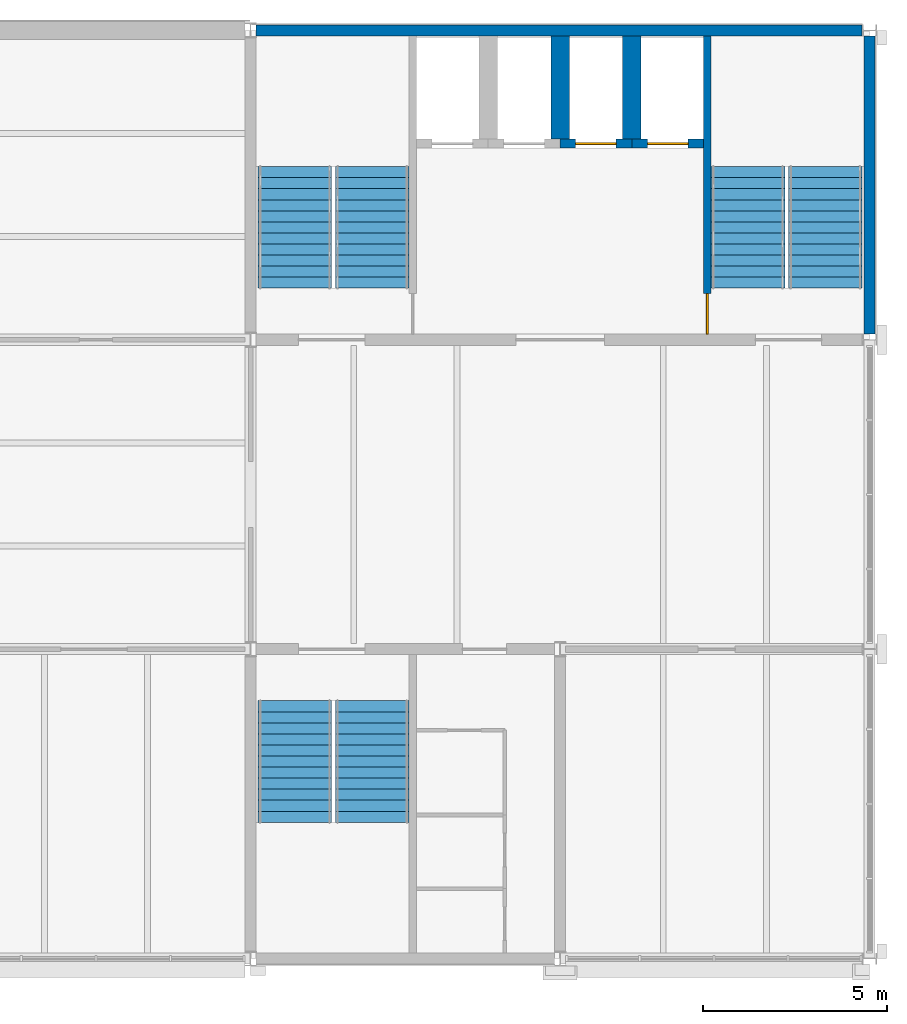
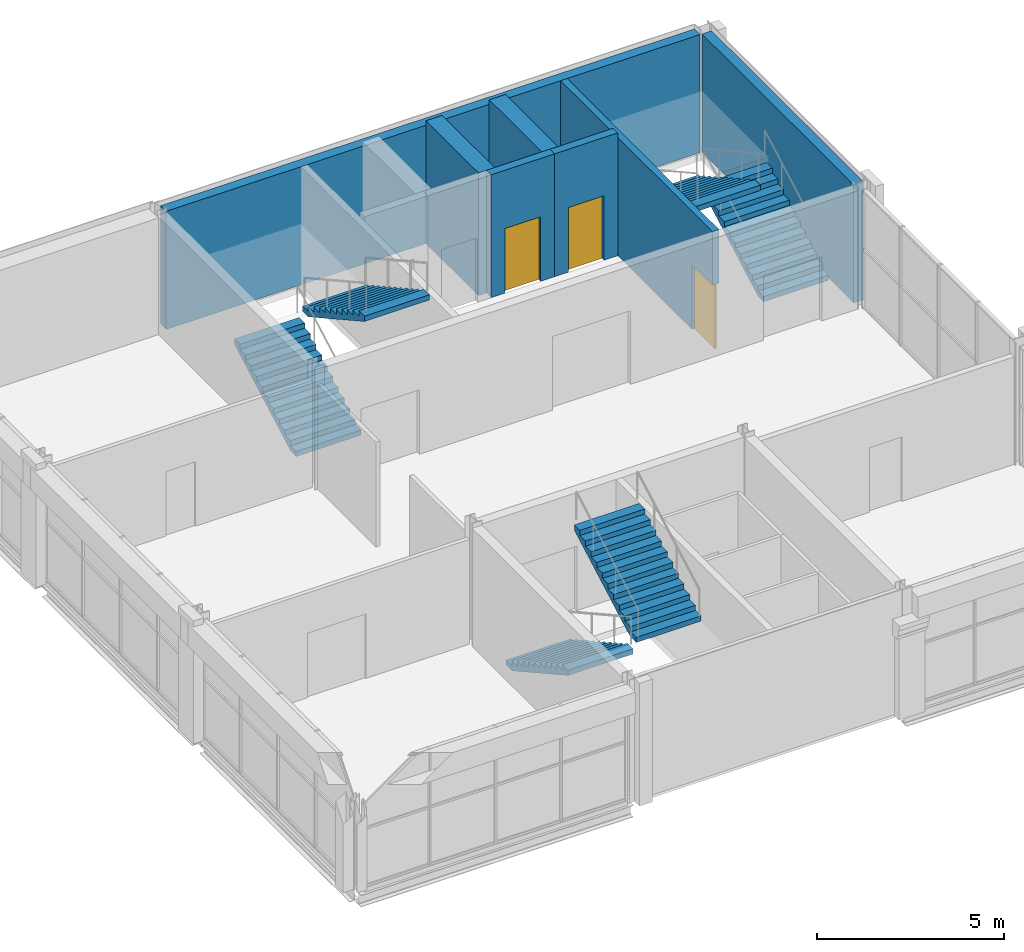
# One storey, part 7 of 8: 7 walls, 6 stair flights, 3 doors, 3 openings, 3 elements without a shape of their own.
"""IFC4 building model written with IfcOpenShell, lengths in metres."""

from ifc_helpers import new_model, si_unit, direction, frame, frame_2d, origin, place, context, subcontext, project, spatial, polyline, rectangle, outline, extrude, material, layer, layer_set, type_object, element, fill, aggregate, save


model = new_model("IFC4")

# Units and contexts
model_context = context("Model", 3, precision=1e-05, world=origin(), true_north=direction((0.0, 1.0)))
body_context = subcontext(model_context, "Body", "Model", "MODEL_VIEW")
ifc_project = project(units=[si_unit("LENGTHUNIT", "METRE"), si_unit("AREAUNIT", "SQUARE_METRE"), si_unit("VOLUMEUNIT", "CUBIC_METRE"), si_unit("PLANEANGLEUNIT", "RADIAN"), si_unit("MASSUNIT", "GRAM", prefix="KILO")], contexts=[model_context])

# Site, building, storey
site_placement = place(None, origin())
site = spatial("IfcSite", under=ifc_project, at=site_placement, CompositionType="ELEMENT")
building_placement = place(site_placement, origin())
building = spatial("IfcBuilding", under=site, at=building_placement, Name="Galleria Vessillo Department Store", CompositionType="ELEMENT")
storey_placement = place(building_placement, frame((0.0, 0.0, 55.60009765625)))
storey = spatial("IfcBuildingStorey", under=building, at=storey_placement, Name="L12", CompositionType="ELEMENT", Elevation=55.60009765625)

# Walls
ifc_material_1 = material(Name="Solid clay block masonry", Category="masonry")
ifc_layer_1 = layer(ifc_material_1, 0.5)
ifc_layer_set_1 = layer_set([ifc_layer_1], Name="Solid clay block masonry")
wall_type_1 = type_object("IfcWallType", Name="Lift shaft partition wall 500 mm", PredefinedType="SOLIDWALL", material=ifc_layer_set_1)
for number, where, z_axis, x_axis, name in (
    (1, (109.199951171875, 62.85009765625, 0.0), (0.0, 0.0, 1.0), (0.0, -1.0, 0.0), "Lift shaft partition wall T2 L12"),
    (2, (111.14990234375, 62.85009765625, 0.0), (0.0, 0.0, 1.0), (0.0, -1.0, 0.0), "Lift shaft partition wall T3 L12"),
):
    element("IfcWall", number, at=place(storey_placement, frame(where, z_axis=z_axis, x_axis=x_axis)), inside=storey, type_object=wall_type_1, Name=name, PredefinedType="SOLIDWALL", context=body_context, shape_type="SweptSolid", body=[
        extrude(rectangle(XDim=2.800048828125, YDim=0.5, at=frame_2d((1.39990234375, 0.0))), origin(), (0.0, 0.0, 1.0), 4.0),
    ])

# Wall, opening, door
ifc_material_2 = material(Name="Solid clay block masonry", Category="masonry")
ifc_layer_2 = layer(ifc_material_2, 0.25)
ifc_layer_set_2 = layer_set([ifc_layer_2], Name="Solid clay block masonry")
wall_type_2 = type_object("IfcWallType", Name="Lift shaft wall 250 mm", PredefinedType="SOLIDWALL", material=ifc_layer_set_2)
wall_1_placement = place(storey_placement, frame((109.199951171875, 59.925048828125, 0.0), z_axis=(0.0, 0.0, 1.0), x_axis=(1.0, 0.0, 0.0)))
wall_1 = element("IfcWall", 3, at=wall_1_placement, inside=storey, type_object=wall_type_2, Name="Lift shaft wall T3 landing side L12", PredefinedType="SOLIDWALL", context=body_context, shape_type="SweptSolid", body=[
    extrude(rectangle(XDim=1.949951171875, YDim=0.25, at=frame_2d((0.97509765625, 0.0))), origin(), (0.0, 0.0, 1.0), 4.0),
])
opening_1_placement = place(wall_1_placement, frame((0.425048828125, 0.0, 0.0)))
opening_1 = element("IfcOpeningElement", 4, at=opening_1_placement, cuts=wall_1, Name="Opening LD123", PredefinedType="OPENING", context=body_context, shape_type="SweptSolid", body=[
    extrude(rectangle(XDim=1.10009765625, YDim=2.10009765625, at=frame_2d((0.550048828125, 1.050048828125))), frame((0.0, 0.135009765625, 0.0), z_axis=(0.0, -1.0, 0.0), x_axis=(1.0, 0.0, 0.0)), (0.0, 0.0, 1.0), 0.27001953125),
])
ifc_material_3 = material(Name="Stainless steel lift door panel", Category="steel")
door_type_1 = type_object("IfcDoorType", Name="Lift landing door LD110 sliding 1100 x 2100", OperationType="SLIDING_TO_LEFT", PredefinedType="DOOR", material=ifc_material_3)
door_1_placement = place(opening_1_placement, frame((1.10009765625, 0.0, 0.0), z_axis=(0.0, 0.0, 1.0), x_axis=(-1.0, 0.0, 0.0)))
door_1 = element("IfcDoor", 5, at=door_1_placement, inside=storey, type_object=door_type_1, Name="Lift landing door T3 L12", OperationType="SLIDING_TO_RIGHT", OverallHeight=2.10009765625, OverallWidth=1.10009765625, PredefinedType="DOOR", context=body_context, shape_type="SweptSolid", body=[
    extrude(rectangle(XDim=1.10009765625, YDim=2.10009765625, at=frame_2d((0.550048828125, 1.050048828125))), frame((0.0, 0.02490234375, 0.0), z_axis=(0.0, -1.0, 0.0), x_axis=(1.0, 0.0, 0.0)), (0.0, 0.0, 1.0), 0.050048828125),
])
fill(opening_1, door_1)

wall_2_placement = place(storey_placement, frame((111.14990234375, 59.925048828125, 0.0), z_axis=(0.0, 0.0, 1.0), x_axis=(1.0, 0.0, 0.0)))
wall_2 = element("IfcWall", 6, at=wall_2_placement, inside=storey, type_object=wall_type_2, Name="Lift shaft wall T4 landing side L12", PredefinedType="SOLIDWALL", context=body_context, shape_type="SweptSolid", body=[
    extrude(rectangle(XDim=1.9501953125, YDim=0.25, at=frame_2d((0.97509765625, 0.0))), origin(), (0.0, 0.0, 1.0), 4.0),
])
opening_2_placement = place(wall_2_placement, frame((0.425048828125, 0.0, 0.0)))
opening_2 = element("IfcOpeningElement", 7, at=opening_2_placement, cuts=wall_2, Name="Opening LD124", PredefinedType="OPENING", context=body_context, shape_type="SweptSolid", body=[
    extrude(rectangle(XDim=1.10009765625, YDim=2.10009765625, at=frame_2d((0.550048828125, 1.050048828125))), frame((0.0, 0.135009765625, 0.0), z_axis=(0.0, -1.0, 0.0), x_axis=(1.0, 0.0, 0.0)), (0.0, 0.0, 1.0), 0.27001953125),
])
door_2_placement = place(opening_2_placement, frame((1.10009765625, 0.0, 0.0), z_axis=(0.0, 0.0, 1.0), x_axis=(-1.0, 0.0, 0.0)))
door_2 = element("IfcDoor", 8, at=door_2_placement, inside=storey, type_object=door_type_1, Name="Lift landing door T4 L12", OperationType="SLIDING_TO_LEFT", OverallHeight=2.10009765625, OverallWidth=1.10009765625, PredefinedType="DOOR", context=body_context, shape_type="SweptSolid", body=[
    extrude(rectangle(XDim=1.10009765625, YDim=2.10009765625, at=frame_2d((0.550048828125, 1.050048828125))), frame((0.0, 0.02490234375, 0.0), z_axis=(0.0, -1.0, 0.0), x_axis=(1.0, 0.0, 0.0)), (0.0, 0.0, 1.0), 0.050048828125),
])
fill(opening_2, door_2)

# Walls
ifc_material_4 = material(Name="Concrete C32/40 reinforced", Category="concrete")
ifc_layer_3 = layer(ifc_material_4, 0.300048828125)
ifc_layer_set_3 = layer_set([ifc_layer_3], Name="Concrete C32/40 reinforced")
wall_type_3 = type_object("IfcWallType", Name="Reinforced concrete core wall 300 mm, external", PredefinedType="SHEAR", material=ifc_layer_set_3)
wall_3_placement = place(storey_placement, frame((100.949951171875, 63.0, 0.0), z_axis=(0.0, 0.0, 1.0), x_axis=(1.0, 0.0, 0.0)))
element("IfcWall", 9, at=wall_3_placement, inside=storey, type_object=wall_type_3, Name="S-CW-TC-PARTY-L12", PredefinedType="SHEAR", context=body_context, shape_type="SweptSolid", body=[
    extrude(rectangle(XDim=16.4501953125, YDim=0.300048828125, at=frame_2d((8.22509765625, 0.0))), origin(), (0.0, 0.0, 1.0), 3.85009765625),
])
wall_4_placement = place(storey_placement, frame((117.60009765625, 54.75, 0.0), z_axis=(0.0, 0.0, 1.0), x_axis=(0.0, 1.0, 0.0)))
element("IfcWall", 10, at=wall_4_placement, inside=storey, type_object=wall_type_3, Name="S-CW-TC-EAST-L12", PredefinedType="SHEAR", context=body_context, shape_type="SweptSolid", body=[
    extrude(rectangle(XDim=8.10009765625, YDim=0.300048828125, at=frame_2d((4.050048828125, 0.0))), origin(), (0.0, 0.0, 1.0), 3.85009765625),
])

# Wall, opening, door
ifc_material_5 = material(Name="Concrete C32/40 reinforced", Category="concrete")
ifc_layer_4 = layer(ifc_material_5, 0.199951171875)
ifc_layer_set_4 = layer_set([ifc_layer_4], Name="Concrete C32/40 reinforced")
wall_type_4 = type_object("IfcWallType", Name="Reinforced concrete stair enclosure wall 200 mm", PredefinedType="SHEAR", material=ifc_layer_set_4)
wall_5_placement = place(storey_placement, frame((113.199951171875, 62.85009765625, 0.0), z_axis=(0.0, 0.0, 1.0), x_axis=(0.0, -1.0, 0.0)))
wall_5 = element("IfcWall", 11, at=wall_5_placement, inside=storey, type_object=wall_type_4, Name="Stair enclosure wall TC L12", PredefinedType="SHEAR", context=body_context, shape_type="SweptSolid", body=[
    extrude(rectangle(XDim=8.10009765625, YDim=0.199951171875, at=frame_2d((4.050048828125, 0.0))), origin(), (0.0, 0.0, 1.0), 3.849853515625),
])
opening_3_placement = place(wall_5_placement, frame((7.0, 0.0, 0.0)))
opening_3 = element("IfcOpeningElement", 12, at=opening_3_placement, cuts=wall_5, Name="Opening D5301", PredefinedType="OPENING", context=body_context, shape_type="SweptSolid", body=[
    extrude(rectangle(XDim=1.11009765625, YDim=2.10009765625, at=frame_2d((0.554931640625, 1.050048828125))), frame((0.0, 0.10986328125, 0.0), z_axis=(0.0, -1.0, 0.0), x_axis=(1.0, 0.0, 0.0)), (0.0, 0.0, 1.0), 0.219970703125),
])
ifc_material_6 = material(Name="Fire-rated steel door leaf", Category="steel")
door_type_2 = type_object("IfcDoorType", Name="Door D110F stair door 1100 x 2100", OperationType="SINGLE_SWING_LEFT", PredefinedType="DOOR", material=ifc_material_6)
door_3_placement = place(opening_3_placement, origin())
door_3 = element("IfcDoor", 13, at=door_3_placement, inside=storey, type_object=door_type_2, Name="Stair door TC-ST9-LOBBY L12", OperationType="SINGLE_SWING_RIGHT", OverallHeight=2.10009765625, OverallWidth=1.10009765625, PredefinedType="DOOR", context=body_context, shape_type="SweptSolid", body=[
    extrude(rectangle(XDim=1.10009765625, YDim=2.10009765625, at=frame_2d((0.550048828125, 1.050048828125))), frame((0.0, 0.02490234375, 0.0), z_axis=(0.0, -1.0, 0.0), x_axis=(1.0, 0.0, 0.0)), (0.0, 0.0, 1.0), 0.050048828125),
])
fill(opening_3, door_3)

# Stair, stair flights
ifc_material_7 = material(Name="Concrete C32/40", Category="concrete")
stair_type = type_object("IfcStairType", Name="Half-turn escape stair 2000 mm, 24 risers of 167 mm", PredefinedType="HALF_TURN_STAIR", material=ifc_material_7)
stair_1_placement = place(storey_placement, origin())
stair_1 = element("IfcStair", 14, at=stair_1_placement, inside=storey, type_object=stair_type, Name="Stair ST8 L12", PredefinedType="HALF_TURN_STAIR")
ifc_material_8 = material(Name="Concrete C32/40", Category="concrete")
stair_flight_type = type_object("IfcStairFlightType", Name="Stair flight 2000 mm, 12 risers of 167 mm", PredefinedType="STRAIGHT", material=ifc_material_8)
stair_flight_1_placement = place(storey_placement, frame((102.0, 55.99951171875, 0.0), z_axis=(0.0, 0.0, 1.0), x_axis=(0.0, 1.0, 0.0)))
stair_flight_1 = element("IfcStairFlight", 15, at=stair_flight_1_placement, type_object=stair_flight_type, Name="ST8 flight 1", NumberOfRisers=12, NumberOfTreads=11, PredefinedType="STRAIGHT", RiserHeight=0.166666667, TreadLength=0.3, context=body_context, shape_type="SweptSolid", body=[
    extrude(outline(polyline([(0.0, 0.0), (0.0, 0.166748046875), (0.300048828125, 0.166748046875), (0.300048828125, 0.333251953125), (0.60009765625, 0.333251953125), (0.60009765625, 0.5), (0.89990234375, 0.5), (0.89990234375, 0.666748046875), (1.199951171875, 0.666748046875), (1.199951171875, 0.833251953125), (1.5, 0.833251953125), (1.5, 1.0), (1.800048828125, 1.0), (1.800048828125, 1.166748046875), (2.10009765625, 1.166748046875), (2.10009765625, 1.333251953125), (2.39990234375, 1.333251953125), (2.39990234375, 1.5), (2.699951171875, 1.5), (2.699951171875, 1.666748046875), (3.0, 1.666748046875), (3.0, 1.833251953125), (3.300048828125, 1.833251953125), (3.300048828125, 2.0), (3.300048828125, 1.661865234375), (0.30859375, 0.0), (0.0, 0.0)])), frame((0.0, 1.0, 0.0), z_axis=(0.0, -1.0, 0.0), x_axis=(1.0, 0.0, 0.0)), (0.0, 0.0, 1.0), 2.0),
])
stair_flight_2_placement = place(storey_placement, frame((104.10009765625, 59.299560546875, 2.0), z_axis=(0.0, 0.0, 1.0), x_axis=(0.0, -1.0, 0.0)))
stair_flight_2 = element("IfcStairFlight", 16, at=stair_flight_2_placement, type_object=stair_flight_type, Name="ST8 flight 2", NumberOfRisers=12, NumberOfTreads=11, PredefinedType="STRAIGHT", RiserHeight=0.166666667, TreadLength=0.3, context=body_context, shape_type="SweptSolid", body=[
    extrude(outline(polyline([(0.0, 0.0), (0.0, 0.166748046875), (0.300048828125, 0.166748046875), (0.300048828125, 0.333251953125), (0.60009765625, 0.333251953125), (0.60009765625, 0.5), (0.89990234375, 0.5), (0.89990234375, 0.666748046875), (1.199951171875, 0.666748046875), (1.199951171875, 0.833251953125), (1.5, 0.833251953125), (1.5, 1.0), (1.800048828125, 1.0), (1.800048828125, 1.166748046875), (2.10009765625, 1.166748046875), (2.10009765625, 1.333251953125), (2.39990234375, 1.333251953125), (2.39990234375, 1.5), (2.699951171875, 1.5), (2.699951171875, 1.666748046875), (3.0, 1.666748046875), (3.0, 1.833251953125), (3.300048828125, 1.833251953125), (3.300048828125, 2.0), (3.300048828125, 1.661865234375), (0.30859375, 0.0), (0.0, 0.0)])), frame((0.0, 1.0, 0.0), z_axis=(0.0, -1.0, 0.0), x_axis=(1.0, 0.0, 0.0)), (0.0, 0.0, 1.0), 2.0),
])
aggregate(stair_1, [stair_flight_1, stair_flight_2])

stair_2_placement = place(storey_placement, origin())
stair_2 = element("IfcStair", 17, at=stair_2_placement, inside=storey, type_object=stair_type, Name="Stair ST9 L12", PredefinedType="HALF_TURN_STAIR")
stair_flight_3_placement = place(storey_placement, frame((116.39990234375, 55.99951171875, 0.0), z_axis=(0.0, 0.0, 1.0), x_axis=(0.0, 1.0, 0.0)))
stair_flight_3 = element("IfcStairFlight", 18, at=stair_flight_3_placement, type_object=stair_flight_type, Name="ST9 flight 1", NumberOfRisers=12, NumberOfTreads=11, PredefinedType="STRAIGHT", RiserHeight=0.166666667, TreadLength=0.3, context=body_context, shape_type="SweptSolid", body=[
    extrude(outline(polyline([(0.0, 0.0), (0.0, 0.166748046875), (0.300048828125, 0.166748046875), (0.300048828125, 0.333251953125), (0.60009765625, 0.333251953125), (0.60009765625, 0.5), (0.89990234375, 0.5), (0.89990234375, 0.666748046875), (1.199951171875, 0.666748046875), (1.199951171875, 0.833251953125), (1.5, 0.833251953125), (1.5, 1.0), (1.800048828125, 1.0), (1.800048828125, 1.166748046875), (2.10009765625, 1.166748046875), (2.10009765625, 1.333251953125), (2.39990234375, 1.333251953125), (2.39990234375, 1.5), (2.699951171875, 1.5), (2.699951171875, 1.666748046875), (3.0, 1.666748046875), (3.0, 1.833251953125), (3.300048828125, 1.833251953125), (3.300048828125, 2.0), (3.300048828125, 1.661865234375), (0.30859375, 0.0), (0.0, 0.0)])), frame((0.0, 1.0, 0.0), z_axis=(0.0, -1.0, 0.0), x_axis=(1.0, 0.0, 0.0)), (0.0, 0.0, 1.0), 2.0),
])
stair_flight_4_placement = place(storey_placement, frame((114.300048828125, 59.299560546875, 2.0), z_axis=(0.0, 0.0, 1.0), x_axis=(0.0, -1.0, 0.0)))
stair_flight_4 = element("IfcStairFlight", 19, at=stair_flight_4_placement, type_object=stair_flight_type, Name="ST9 flight 2", NumberOfRisers=12, NumberOfTreads=11, PredefinedType="STRAIGHT", RiserHeight=0.166666667, TreadLength=0.3, context=body_context, shape_type="SweptSolid", body=[
    extrude(outline(polyline([(0.0, 0.0), (0.0, 0.166748046875), (0.300048828125, 0.166748046875), (0.300048828125, 0.333251953125), (0.60009765625, 0.333251953125), (0.60009765625, 0.5), (0.89990234375, 0.5), (0.89990234375, 0.666748046875), (1.199951171875, 0.666748046875), (1.199951171875, 0.833251953125), (1.5, 0.833251953125), (1.5, 1.0), (1.800048828125, 1.0), (1.800048828125, 1.166748046875), (2.10009765625, 1.166748046875), (2.10009765625, 1.333251953125), (2.39990234375, 1.333251953125), (2.39990234375, 1.5), (2.699951171875, 1.5), (2.699951171875, 1.666748046875), (3.0, 1.666748046875), (3.0, 1.833251953125), (3.300048828125, 1.833251953125), (3.300048828125, 2.0), (3.300048828125, 1.661865234375), (0.30859375, 0.0), (0.0, 0.0)])), frame((0.0, 1.0, 0.0), z_axis=(0.0, -1.0, 0.0), x_axis=(1.0, 0.0, 0.0)), (0.0, 0.0, 1.0), 2.0),
])
aggregate(stair_2, [stair_flight_3, stair_flight_4])

stair_3_placement = place(storey_placement, origin())
stair_3 = element("IfcStair", 20, at=stair_3_placement, inside=storey, type_object=stair_type, Name="Stair ST12 L12", PredefinedType="HALF_TURN_STAIR")
stair_flight_5_placement = place(storey_placement, frame((102.0, 44.800537109375, 0.0), z_axis=(0.0, 0.0, 1.0), x_axis=(0.0, -1.0, 0.0)))
stair_flight_5 = element("IfcStairFlight", 21, at=stair_flight_5_placement, type_object=stair_flight_type, Name="ST12 flight 1", NumberOfRisers=12, NumberOfTreads=11, PredefinedType="STRAIGHT", RiserHeight=0.166666667, TreadLength=0.3, context=body_context, shape_type="SweptSolid", body=[
    extrude(outline(polyline([(0.0, 0.0), (0.0, 0.166748046875), (0.300048828125, 0.166748046875), (0.300048828125, 0.333251953125), (0.60009765625, 0.333251953125), (0.60009765625, 0.5), (0.89990234375, 0.5), (0.89990234375, 0.666748046875), (1.199951171875, 0.666748046875), (1.199951171875, 0.833251953125), (1.5, 0.833251953125), (1.5, 1.0), (1.800048828125, 1.0), (1.800048828125, 1.166748046875), (2.10009765625, 1.166748046875), (2.10009765625, 1.333251953125), (2.39990234375, 1.333251953125), (2.39990234375, 1.5), (2.699951171875, 1.5), (2.699951171875, 1.666748046875), (3.0, 1.666748046875), (3.0, 1.833251953125), (3.300048828125, 1.833251953125), (3.300048828125, 2.0), (3.300048828125, 1.661865234375), (0.30859375, 0.0), (0.0, 0.0)])), frame((0.0, 1.0, 0.0), z_axis=(0.0, -1.0, 0.0), x_axis=(1.0, 0.0, 0.0)), (0.0, 0.0, 1.0), 2.0),
])
stair_flight_6_placement = place(storey_placement, frame((104.10009765625, 41.50048828125, 2.0), z_axis=(0.0, 0.0, 1.0), x_axis=(0.0, 1.0, 0.0)))
stair_flight_6 = element("IfcStairFlight", 22, at=stair_flight_6_placement, type_object=stair_flight_type, Name="ST12 flight 2", NumberOfRisers=12, NumberOfTreads=11, PredefinedType="STRAIGHT", RiserHeight=0.166666667, TreadLength=0.3, context=body_context, shape_type="SweptSolid", body=[
    extrude(outline(polyline([(0.0, 0.0), (0.0, 0.166748046875), (0.300048828125, 0.166748046875), (0.300048828125, 0.333251953125), (0.60009765625, 0.333251953125), (0.60009765625, 0.5), (0.89990234375, 0.5), (0.89990234375, 0.666748046875), (1.199951171875, 0.666748046875), (1.199951171875, 0.833251953125), (1.5, 0.833251953125), (1.5, 1.0), (1.800048828125, 1.0), (1.800048828125, 1.166748046875), (2.10009765625, 1.166748046875), (2.10009765625, 1.333251953125), (2.39990234375, 1.333251953125), (2.39990234375, 1.5), (2.699951171875, 1.5), (2.699951171875, 1.666748046875), (3.0, 1.666748046875), (3.0, 1.833251953125), (3.300048828125, 1.833251953125), (3.300048828125, 2.0), (3.300048828125, 1.661865234375), (0.30859375, 0.0), (0.0, 0.0)])), frame((0.0, 1.0, 0.0), z_axis=(0.0, -1.0, 0.0), x_axis=(1.0, 0.0, 0.0)), (0.0, 0.0, 1.0), 2.0),
])
aggregate(stair_3, [stair_flight_5, stair_flight_6])

save(model, "model.ifc")
